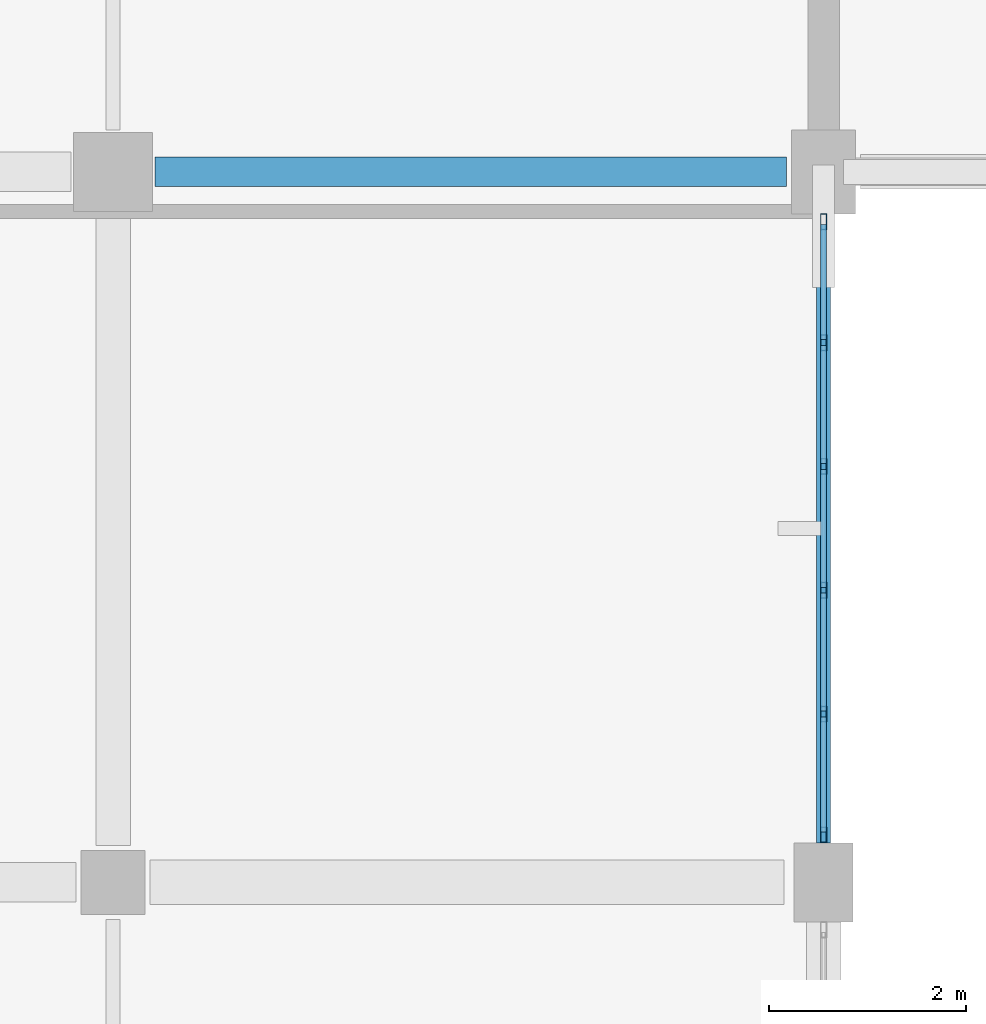
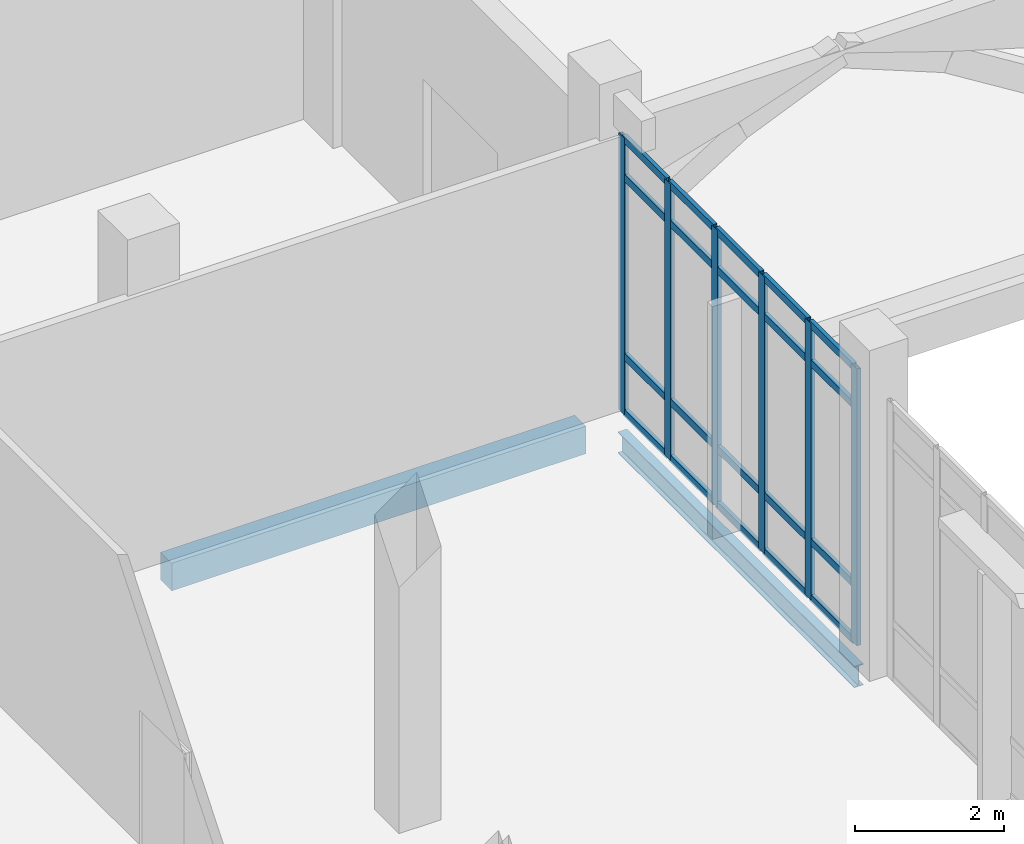
# One storey, part 12 of 110: 26 members, 2 beams, 1 element without a shape of its own.
"""IFC4 building model written with IfcOpenShell, lengths in metres."""

from ifc_helpers import new_model, si_unit, direction, frame, origin, origin_2d, place, context, subcontext, project, spatial, rectangle, hollow_rectangle, i_section, extrude, material, material_profile, profile_set, type_object, element, aggregate, save


model = new_model("IFC4")

# Units and contexts
model_context = context("Model", 3, precision=1e-05, world=origin(), true_north=direction((0.0, 1.0)))
body_context = subcontext(model_context, "Body", "Model", "MODEL_VIEW")
ifc_project = project(units=[si_unit("LENGTHUNIT", "METRE"), si_unit("AREAUNIT", "SQUARE_METRE"), si_unit("VOLUMEUNIT", "CUBIC_METRE"), si_unit("PLANEANGLEUNIT", "RADIAN"), si_unit("MASSUNIT", "GRAM", prefix="KILO")], contexts=[model_context])

# Site, building, storey
site_placement = place(None, origin())
site = spatial("IfcSite", under=ifc_project, at=site_placement, CompositionType="ELEMENT")
building_placement = place(site_placement, origin())
building = spatial("IfcBuilding", under=site, at=building_placement, Name="Kalluvel Institute of Natural Sciences", CompositionType="ELEMENT")
storey_placement = place(building_placement, origin())
storey = spatial("IfcBuildingStorey", under=building, at=storey_placement, Name="L00", CompositionType="ELEMENT", Elevation=0.0)

# Beam
ifc_material_1 = material(Name="Steel E350 Grade 350", Category="steel")
ifc_material_profile_1 = material_profile(ifc_material_1, i_section(OverallWidth=0.139892578125, OverallDepth=0.35009765625, WebThickness=0.008056640625, FlangeThickness=0.01416015625, FilletRadius=0.013916015625, at=origin_2d()), Name="ISMB 350")
ifc_profile_set_1 = profile_set([ifc_material_profile_1], Name="Steel E350 Grade 350")
beam_type_1 = type_object("IfcBeamType", Name="BM-ISMB350", PredefinedType="BEAM", material=ifc_profile_set_1)
beam_1_placement = place(storey_placement, frame((35.60009765625, 21.60009765625, -0.4951171875), z_axis=(0.0, 1.0, 0.0), x_axis=(-1.0, 0.0, 0.0)))
element("IfcBeam", 1, at=beam_1_placement, inside=storey, type_object=beam_type_1, Name="L00 girder GIR-L00-NS-X356-Y212", PredefinedType="BEAM", context=body_context, shape_type="SweptSolid", body=[
    extrude(i_section(OverallWidth=0.139892578125, OverallDepth=0.35009765625, WebThickness=0.008056640625, FlangeThickness=0.01416015625, FilletRadius=0.013916015625, at=origin_2d()), origin(), (0.0, 0.0, 1.0), 6.324951171875),
])

# Curtain wall, members
ifc_material_2 = material(Name="Aluminium AW-6063 T6", Category="aluminium")
curtain_wall_type = type_object("IfcCurtainWallType", Name="CW-DRY-54", PredefinedType="USERDEFINED", material=ifc_material_2)
curtain_wall_placement = place(storey_placement, origin())
curtain_wall = element("IfcCurtainWall", 2, at=curtain_wall_placement, inside=storey, type_object=curtain_wall_type, Name="L00 Gothic lancet curtain wall CWA-L00-X356-Y216", ObjectType="UNITISED LANCET FACADE", PredefinedType="USERDEFINED")
ifc_material_profile_2 = material_profile(ifc_material_2, hollow_rectangle(XDim=0.06005859375, YDim=0.159912109375, WallThickness=0.00390625, at=origin_2d()), Name="CWM 60x160")
ifc_profile_set_2 = profile_set([ifc_material_profile_2], Name="Aluminium AW-6063 T6")
member_type_1 = type_object("IfcMemberType", Name="CWM-60x160", PredefinedType="MULLION", material=ifc_profile_set_2)
member_1_placement = place(storey_placement, frame((35.60009765625, 21.679931640625, 0.0), z_axis=(0.0, 0.0, 1.0), x_axis=(-1.0, 0.0, 0.0)))
member_1 = element("IfcMember", 3, at=member_1_placement, type_object=member_type_1, Name="CW-04 mullion 1", PredefinedType="MULLION", context=body_context, shape_type="SweptSolid", body=[
    extrude(hollow_rectangle(XDim=0.06005859375, YDim=0.159912109375, WallThickness=0.00390625, at=origin_2d()), origin(), (0.0, 0.0, 1.0), 4.52001953125),
])
member_2_placement = place(storey_placement, frame((35.60009765625, 22.905029296875, 0.0), z_axis=(0.0, 0.0, 1.0), x_axis=(-1.0, 0.0, 0.0)))
member_2 = element("IfcMember", 4, at=member_2_placement, type_object=member_type_1, Name="CW-04 mullion 2", PredefinedType="MULLION", context=body_context, shape_type="SweptSolid", body=[
    extrude(hollow_rectangle(XDim=0.06005859375, YDim=0.159912109375, WallThickness=0.00390625, at=origin_2d()), origin(), (0.0, 0.0, 1.0), 4.52001953125),
])
member_3_placement = place(storey_placement, frame((35.60009765625, 24.159912109375, 0.0), z_axis=(0.0, 0.0, 1.0), x_axis=(-1.0, 0.0, 0.0)))
member_3 = element("IfcMember", 5, at=member_3_placement, type_object=member_type_1, Name="CW-04 mullion 3", PredefinedType="MULLION", context=body_context, shape_type="SweptSolid", body=[
    extrude(hollow_rectangle(XDim=0.06005859375, YDim=0.159912109375, WallThickness=0.00390625, at=origin_2d()), origin(), (0.0, 0.0, 1.0), 4.52001953125),
])
member_4_placement = place(storey_placement, frame((35.60009765625, 25.4150390625, 0.0), z_axis=(0.0, 0.0, 1.0), x_axis=(-1.0, 0.0, 0.0)))
member_4 = element("IfcMember", 6, at=member_4_placement, type_object=member_type_1, Name="CW-04 mullion 4", PredefinedType="MULLION", context=body_context, shape_type="SweptSolid", body=[
    extrude(hollow_rectangle(XDim=0.06005859375, YDim=0.159912109375, WallThickness=0.00390625, at=origin_2d()), origin(), (0.0, 0.0, 1.0), 4.52001953125),
])
member_5_placement = place(storey_placement, frame((35.60009765625, 26.669921875, 0.0), z_axis=(0.0, 0.0, 1.0), x_axis=(-1.0, 0.0, 0.0)))
member_5 = element("IfcMember", 7, at=member_5_placement, type_object=member_type_1, Name="CW-04 mullion 5", PredefinedType="MULLION", context=body_context, shape_type="SweptSolid", body=[
    extrude(hollow_rectangle(XDim=0.06005859375, YDim=0.159912109375, WallThickness=0.00390625, at=origin_2d()), origin(), (0.0, 0.0, 1.0), 4.52001953125),
])
member_6_placement = place(storey_placement, frame((35.60009765625, 27.89501953125, 0.0), z_axis=(0.0, 0.0, 1.0), x_axis=(-1.0, 0.0, 0.0)))
member_6 = element("IfcMember", 8, at=member_6_placement, type_object=member_type_1, Name="CW-04 mullion 6", PredefinedType="MULLION", context=body_context, shape_type="SweptSolid", body=[
    extrude(hollow_rectangle(XDim=0.06005859375, YDim=0.159912109375, WallThickness=0.00390625, at=origin_2d()), origin(), (0.0, 0.0, 1.0), 4.52001953125),
])
ifc_material_profile_3 = material_profile(ifc_material_2, hollow_rectangle(XDim=0.06005859375, YDim=0.1201171875, WallThickness=0.00390625, at=origin_2d()), Name="CWT 60x120")
ifc_profile_set_3 = profile_set([ifc_material_profile_3], Name="Aluminium AW-6063 T6")
member_type_2 = type_object("IfcMemberType", Name="CWT-60x120", PredefinedType="USERDEFINED", material=ifc_profile_set_3)
member_7_placement = place(storey_placement, frame((35.60009765625, 21.7099609375, 0.030029296875), z_axis=(0.0, 1.0, 0.0), x_axis=(-1.0, 0.0, 0.0)))
member_7 = element("IfcMember", 9, at=member_7_placement, type_object=member_type_2, Name="CW-04 transom 1.1", ObjectType="TRANSOM", PredefinedType="USERDEFINED", context=body_context, shape_type="SweptSolid", body=[
    extrude(hollow_rectangle(XDim=0.06005859375, YDim=0.1201171875, WallThickness=0.00390625, at=origin_2d()), origin(), (0.0, 0.0, 1.0), 1.1650390625),
])
member_8_placement = place(storey_placement, frame((35.60009765625, 21.7099609375, 0.949951171875), z_axis=(0.0, 1.0, 0.0), x_axis=(-1.0, 0.0, 0.0)))
member_8 = element("IfcMember", 10, at=member_8_placement, type_object=member_type_2, Name="CW-04 transom 1.2", ObjectType="TRANSOM", PredefinedType="USERDEFINED", context=body_context, shape_type="SweptSolid", body=[
    extrude(hollow_rectangle(XDim=0.06005859375, YDim=0.1201171875, WallThickness=0.00390625, at=origin_2d()), origin(), (0.0, 0.0, 1.0), 1.1650390625),
])
member_9_placement = place(storey_placement, frame((35.60009765625, 21.7099609375, 3.8701171875), z_axis=(0.0, 1.0, 0.0), x_axis=(-1.0, 0.0, 0.0)))
member_9 = element("IfcMember", 11, at=member_9_placement, type_object=member_type_2, Name="CW-04 transom 1.3", ObjectType="TRANSOM", PredefinedType="USERDEFINED", context=body_context, shape_type="SweptSolid", body=[
    extrude(hollow_rectangle(XDim=0.06005859375, YDim=0.1201171875, WallThickness=0.00390625, at=origin_2d()), origin(), (0.0, 0.0, 1.0), 1.1650390625),
])
member_10_placement = place(storey_placement, frame((35.60009765625, 21.7099609375, 4.489990234375), z_axis=(0.0, 1.0, 0.0), x_axis=(-1.0, 0.0, 0.0)))
member_10 = element("IfcMember", 12, at=member_10_placement, type_object=member_type_2, Name="CW-04 transom 1.4", ObjectType="TRANSOM", PredefinedType="USERDEFINED", context=body_context, shape_type="SweptSolid", body=[
    extrude(hollow_rectangle(XDim=0.06005859375, YDim=0.1201171875, WallThickness=0.00390625, at=origin_2d()), origin(), (0.0, 0.0, 1.0), 1.1650390625),
])
member_11_placement = place(storey_placement, frame((35.60009765625, 22.93505859375, 0.030029296875), z_axis=(0.0, 1.0, 0.0), x_axis=(-1.0, 0.0, 0.0)))
member_11 = element("IfcMember", 13, at=member_11_placement, type_object=member_type_2, Name="CW-04 transom 2.1", ObjectType="TRANSOM", PredefinedType="USERDEFINED", context=body_context, shape_type="SweptSolid", body=[
    extrude(hollow_rectangle(XDim=0.06005859375, YDim=0.1201171875, WallThickness=0.00390625, at=origin_2d()), origin(), (0.0, 0.0, 1.0), 1.19482421875),
])
member_12_placement = place(storey_placement, frame((35.60009765625, 22.93505859375, 0.949951171875), z_axis=(0.0, 1.0, 0.0), x_axis=(-1.0, 0.0, 0.0)))
member_12 = element("IfcMember", 14, at=member_12_placement, type_object=member_type_2, Name="CW-04 transom 2.2", ObjectType="TRANSOM", PredefinedType="USERDEFINED", context=body_context, shape_type="SweptSolid", body=[
    extrude(hollow_rectangle(XDim=0.06005859375, YDim=0.1201171875, WallThickness=0.00390625, at=origin_2d()), origin(), (0.0, 0.0, 1.0), 1.19482421875),
])
member_13_placement = place(storey_placement, frame((35.60009765625, 22.93505859375, 3.8701171875), z_axis=(0.0, 1.0, 0.0), x_axis=(-1.0, 0.0, 0.0)))
member_13 = element("IfcMember", 15, at=member_13_placement, type_object=member_type_2, Name="CW-04 transom 2.3", ObjectType="TRANSOM", PredefinedType="USERDEFINED", context=body_context, shape_type="SweptSolid", body=[
    extrude(hollow_rectangle(XDim=0.06005859375, YDim=0.1201171875, WallThickness=0.00390625, at=origin_2d()), origin(), (0.0, 0.0, 1.0), 1.19482421875),
])
member_14_placement = place(storey_placement, frame((35.60009765625, 22.93505859375, 4.489990234375), z_axis=(0.0, 1.0, 0.0), x_axis=(-1.0, 0.0, 0.0)))
member_14 = element("IfcMember", 16, at=member_14_placement, type_object=member_type_2, Name="CW-04 transom 2.4", ObjectType="TRANSOM", PredefinedType="USERDEFINED", context=body_context, shape_type="SweptSolid", body=[
    extrude(hollow_rectangle(XDim=0.06005859375, YDim=0.1201171875, WallThickness=0.00390625, at=origin_2d()), origin(), (0.0, 0.0, 1.0), 1.19482421875),
])
member_15_placement = place(storey_placement, frame((35.60009765625, 24.18994140625, 0.030029296875), z_axis=(0.0, 1.0, 0.0), x_axis=(-1.0, 0.0, 0.0)))
member_15 = element("IfcMember", 17, at=member_15_placement, type_object=member_type_2, Name="CW-04 transom 3.1", ObjectType="TRANSOM", PredefinedType="USERDEFINED", context=body_context, shape_type="SweptSolid", body=[
    extrude(hollow_rectangle(XDim=0.06005859375, YDim=0.1201171875, WallThickness=0.00390625, at=origin_2d()), origin(), (0.0, 0.0, 1.0), 1.195068359375),
])
member_16_placement = place(storey_placement, frame((35.60009765625, 24.18994140625, 0.949951171875), z_axis=(0.0, 1.0, 0.0), x_axis=(-1.0, 0.0, 0.0)))
member_16 = element("IfcMember", 18, at=member_16_placement, type_object=member_type_2, Name="CW-04 transom 3.2", ObjectType="TRANSOM", PredefinedType="USERDEFINED", context=body_context, shape_type="SweptSolid", body=[
    extrude(hollow_rectangle(XDim=0.06005859375, YDim=0.1201171875, WallThickness=0.00390625, at=origin_2d()), origin(), (0.0, 0.0, 1.0), 1.195068359375),
])
member_17_placement = place(storey_placement, frame((35.60009765625, 24.18994140625, 3.8701171875), z_axis=(0.0, 1.0, 0.0), x_axis=(-1.0, 0.0, 0.0)))
member_17 = element("IfcMember", 19, at=member_17_placement, type_object=member_type_2, Name="CW-04 transom 3.3", ObjectType="TRANSOM", PredefinedType="USERDEFINED", context=body_context, shape_type="SweptSolid", body=[
    extrude(hollow_rectangle(XDim=0.06005859375, YDim=0.1201171875, WallThickness=0.00390625, at=origin_2d()), origin(), (0.0, 0.0, 1.0), 1.195068359375),
])
member_18_placement = place(storey_placement, frame((35.60009765625, 24.18994140625, 4.489990234375), z_axis=(0.0, 1.0, 0.0), x_axis=(-1.0, 0.0, 0.0)))
member_18 = element("IfcMember", 20, at=member_18_placement, type_object=member_type_2, Name="CW-04 transom 3.4", ObjectType="TRANSOM", PredefinedType="USERDEFINED", context=body_context, shape_type="SweptSolid", body=[
    extrude(hollow_rectangle(XDim=0.06005859375, YDim=0.1201171875, WallThickness=0.00390625, at=origin_2d()), origin(), (0.0, 0.0, 1.0), 1.195068359375),
])
member_19_placement = place(storey_placement, frame((35.60009765625, 25.445068359375, 0.030029296875), z_axis=(0.0, 1.0, 0.0), x_axis=(-1.0, 0.0, 0.0)))
member_19 = element("IfcMember", 21, at=member_19_placement, type_object=member_type_2, Name="CW-04 transom 4.1", ObjectType="TRANSOM", PredefinedType="USERDEFINED", context=body_context, shape_type="SweptSolid", body=[
    extrude(hollow_rectangle(XDim=0.06005859375, YDim=0.1201171875, WallThickness=0.00390625, at=origin_2d()), origin(), (0.0, 0.0, 1.0), 1.19482421875),
])
member_20_placement = place(storey_placement, frame((35.60009765625, 25.445068359375, 0.949951171875), z_axis=(0.0, 1.0, 0.0), x_axis=(-1.0, 0.0, 0.0)))
member_20 = element("IfcMember", 22, at=member_20_placement, type_object=member_type_2, Name="CW-04 transom 4.2", ObjectType="TRANSOM", PredefinedType="USERDEFINED", context=body_context, shape_type="SweptSolid", body=[
    extrude(hollow_rectangle(XDim=0.06005859375, YDim=0.1201171875, WallThickness=0.00390625, at=origin_2d()), origin(), (0.0, 0.0, 1.0), 1.19482421875),
])
member_21_placement = place(storey_placement, frame((35.60009765625, 25.445068359375, 3.8701171875), z_axis=(0.0, 1.0, 0.0), x_axis=(-1.0, 0.0, 0.0)))
member_21 = element("IfcMember", 23, at=member_21_placement, type_object=member_type_2, Name="CW-04 transom 4.3", ObjectType="TRANSOM", PredefinedType="USERDEFINED", context=body_context, shape_type="SweptSolid", body=[
    extrude(hollow_rectangle(XDim=0.06005859375, YDim=0.1201171875, WallThickness=0.00390625, at=origin_2d()), origin(), (0.0, 0.0, 1.0), 1.19482421875),
])
member_22_placement = place(storey_placement, frame((35.60009765625, 25.445068359375, 4.489990234375), z_axis=(0.0, 1.0, 0.0), x_axis=(-1.0, 0.0, 0.0)))
member_22 = element("IfcMember", 24, at=member_22_placement, type_object=member_type_2, Name="CW-04 transom 4.4", ObjectType="TRANSOM", PredefinedType="USERDEFINED", context=body_context, shape_type="SweptSolid", body=[
    extrude(hollow_rectangle(XDim=0.06005859375, YDim=0.1201171875, WallThickness=0.00390625, at=origin_2d()), origin(), (0.0, 0.0, 1.0), 1.19482421875),
])
member_23_placement = place(storey_placement, frame((35.60009765625, 26.699951171875, 0.030029296875), z_axis=(0.0, 1.0, 0.0), x_axis=(-1.0, 0.0, 0.0)))
member_23 = element("IfcMember", 25, at=member_23_placement, type_object=member_type_2, Name="CW-04 transom 5.1", ObjectType="TRANSOM", PredefinedType="USERDEFINED", context=body_context, shape_type="SweptSolid", body=[
    extrude(hollow_rectangle(XDim=0.06005859375, YDim=0.1201171875, WallThickness=0.00390625, at=origin_2d()), origin(), (0.0, 0.0, 1.0), 1.1650390625),
])
member_24_placement = place(storey_placement, frame((35.60009765625, 26.699951171875, 0.949951171875), z_axis=(0.0, 1.0, 0.0), x_axis=(-1.0, 0.0, 0.0)))
member_24 = element("IfcMember", 26, at=member_24_placement, type_object=member_type_2, Name="CW-04 transom 5.2", ObjectType="TRANSOM", PredefinedType="USERDEFINED", context=body_context, shape_type="SweptSolid", body=[
    extrude(hollow_rectangle(XDim=0.06005859375, YDim=0.1201171875, WallThickness=0.00390625, at=origin_2d()), origin(), (0.0, 0.0, 1.0), 1.1650390625),
])
member_25_placement = place(storey_placement, frame((35.60009765625, 26.699951171875, 3.8701171875), z_axis=(0.0, 1.0, 0.0), x_axis=(-1.0, 0.0, 0.0)))
member_25 = element("IfcMember", 27, at=member_25_placement, type_object=member_type_2, Name="CW-04 transom 5.3", ObjectType="TRANSOM", PredefinedType="USERDEFINED", context=body_context, shape_type="SweptSolid", body=[
    extrude(hollow_rectangle(XDim=0.06005859375, YDim=0.1201171875, WallThickness=0.00390625, at=origin_2d()), origin(), (0.0, 0.0, 1.0), 1.1650390625),
])
member_26_placement = place(storey_placement, frame((35.60009765625, 26.699951171875, 4.489990234375), z_axis=(0.0, 1.0, 0.0), x_axis=(-1.0, 0.0, 0.0)))
member_26 = element("IfcMember", 28, at=member_26_placement, type_object=member_type_2, Name="CW-04 transom 5.4", ObjectType="TRANSOM", PredefinedType="USERDEFINED", context=body_context, shape_type="SweptSolid", body=[
    extrude(hollow_rectangle(XDim=0.06005859375, YDim=0.1201171875, WallThickness=0.00390625, at=origin_2d()), origin(), (0.0, 0.0, 1.0), 1.1650390625),
])
aggregate(curtain_wall, [member_1, member_2, member_3, member_4, member_5, member_6, member_7, member_8, member_9, member_10, member_11, member_12, member_13, member_14, member_15, member_16, member_17, member_18, member_19, member_20, member_21, member_22, member_23, member_24, member_25, member_26])

# Beam
ifc_material_3 = material(Name="Concrete M40", Category="concrete")
ifc_material_profile_4 = material_profile(ifc_material_3, rectangle(XDim=0.300048828125, YDim=0.449951171875, at=origin_2d()), Name="RCB 300x450")
ifc_profile_set_4 = profile_set([ifc_material_profile_4], Name="Concrete M40")
beam_type_2 = type_object("IfcBeamType", Name="SP-RC300x450", PredefinedType="SPANDREL", material=ifc_profile_set_4)
beam_2_placement = place(storey_placement, frame((28.824951171875, 28.39990234375, -0.544921875), z_axis=(1.0, 0.0, 0.0), x_axis=(0.0, 1.0, 0.0)))
element("IfcBeam", 29, at=beam_2_placement, inside=storey, type_object=beam_type_2, Name="L00 girder GIR-L00-EW-X284-Y284", PredefinedType="SPANDREL", context=body_context, shape_type="SweptSolid", body=[
    extrude(rectangle(XDim=0.300048828125, YDim=0.449951171875, at=origin_2d()), origin(), (0.0, 0.0, 1.0), 6.400146484375),
])

save(model, "model.ifc")
